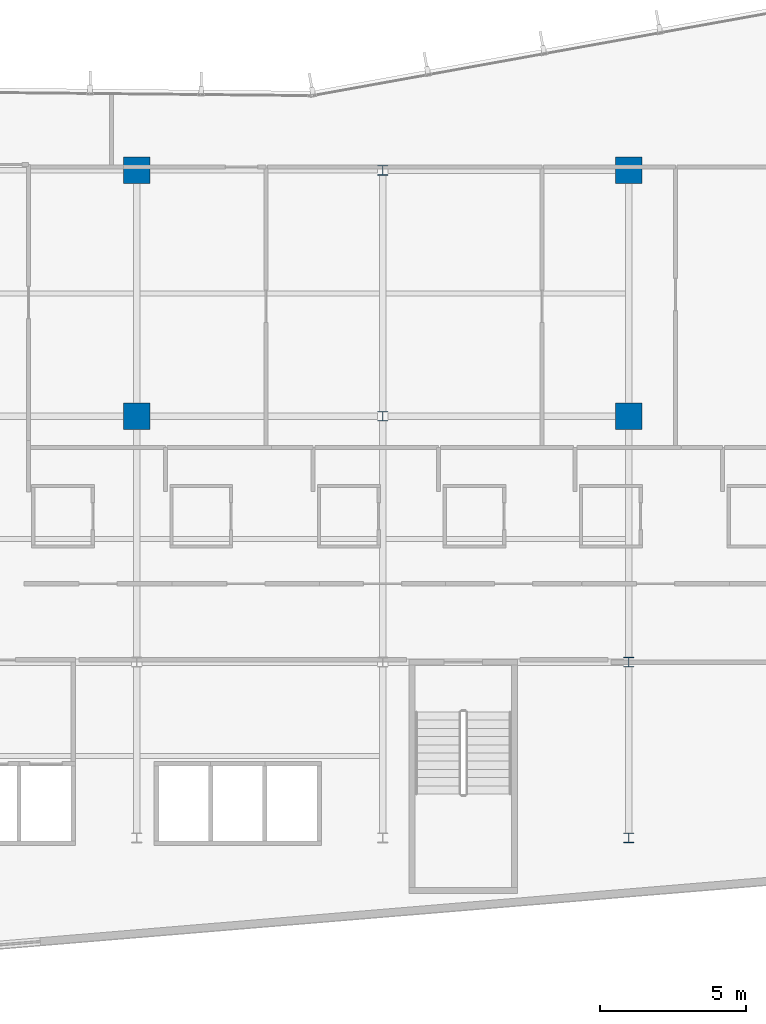
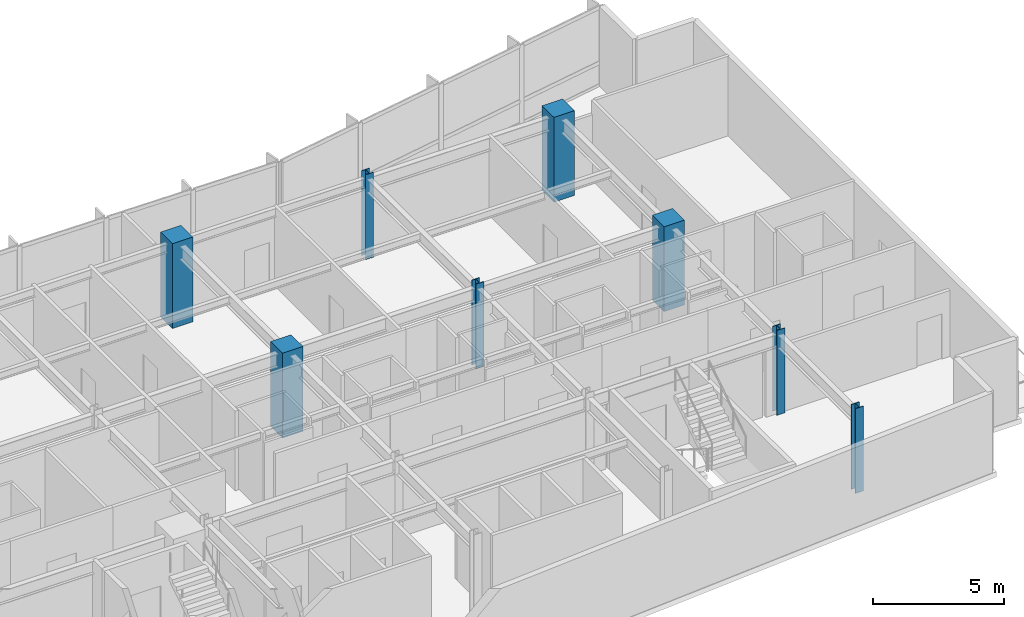
# One storey, part 2 of 19: 8 columns.
"""IFC4 building model written with IfcOpenShell, lengths in metres."""

from ifc_helpers import new_model, si_unit, direction, frame, origin, origin_2d, place, context, subcontext, project, spatial, rectangle, i_section, extrude, material, material_profile, profile_set, type_object, element, save


model = new_model("IFC4")

# Units and contexts
model_context = context("Model", 3, precision=1e-05, world=origin(), true_north=direction((0.0, 1.0)))
body_context = subcontext(model_context, "Body", "Model", "MODEL_VIEW")
ifc_project = project(units=[si_unit("LENGTHUNIT", "METRE"), si_unit("AREAUNIT", "SQUARE_METRE"), si_unit("VOLUMEUNIT", "CUBIC_METRE"), si_unit("PLANEANGLEUNIT", "RADIAN"), si_unit("MASSUNIT", "GRAM", prefix="KILO")], contexts=[model_context])

# Site, building, storey
site_placement = place(None, origin())
site = spatial("IfcSite", under=ifc_project, at=site_placement, CompositionType="ELEMENT")
building_placement = place(site_placement, origin())
building = spatial("IfcBuilding", under=site, at=building_placement, Name="Varnakote Quay Hospital", CompositionType="ELEMENT")
storey_placement = place(building_placement, frame((0.0, 0.0, 50.14990234375)))
storey = spatial("IfcBuildingStorey", under=building, at=storey_placement, Name="L12", CompositionType="ELEMENT", Elevation=50.14990234375)

# Columns
ifc_material_1 = material(Name="Concrete N50 (f'c 50 MPa)", Category="concrete")
ifc_material_profile_1 = material_profile(ifc_material_1, rectangle(XDim=0.89990234375, YDim=0.89990234375, at=origin_2d()), Name="RC-COL-900x900")
ifc_profile_set_1 = profile_set([ifc_material_profile_1], Name="Concrete N50 (f'c 50 MPa)")
column_type_1 = type_object("IfcColumnType", Name="COL-RC-900", PredefinedType="COLUMN", material=ifc_profile_set_1)
for number, where, z_axis, x_axis, name in (
    (1, (33.60009765625, 20.39990234375, 0.0), (0.0, 0.0, 1.0), (1.0, 0.0, 0.0), "L12 Structural Column C-34-20"),
    (2, (50.39990234375, 20.39990234375, 0.0), (0.0, 0.0, 1.0), (1.0, 0.0, 0.0), "L12 Structural Column C-50-20"),
    (3, (33.60009765625, 28.800048828125, 0.0), (0.0, 0.0, 1.0), (1.0, 0.0, 0.0), "L12 Structural Column C-34-29"),
    (4, (50.39990234375, 28.800048828125, 0.0), (0.0, 0.0, 1.0), (1.0, 0.0, 0.0), "L12 Structural Column C-50-29"),
):
    element("IfcColumn", number, at=place(storey_placement, frame(where, z_axis=z_axis, x_axis=x_axis)), inside=storey, type_object=column_type_1, Name=name, PredefinedType="COLUMN", context=body_context, shape_type="SweptSolid", body=[
        extrude(rectangle(XDim=0.89990234375, YDim=0.89990234375, at=origin_2d()), origin(), (0.0, 0.0, 1.0), 3.9501953125),
    ])
ifc_material_2 = material(Name="Structural steel AS/NZS 3678 Grade 350 (fy 340 MPa)", Category="steel")
ifc_material_profile_2 = material_profile(ifc_material_2, i_section(OverallWidth=0.35009765625, OverallDepth=0.340087890625, WebThickness=0.01611328125, FlangeThickness=0.028076171875, at=origin_2d()), Name="350WC197")
ifc_profile_set_2 = profile_set([ifc_material_profile_2], Name="Structural steel AS/NZS 3678 Grade 350 (fy 340 MPa)")
column_type_2 = type_object("IfcColumnType", Name="COL-STL-350WC197", PredefinedType="COLUMN", material=ifc_profile_set_2)
for number, where, z_axis, x_axis, name in (
    (5, (50.39990234375, 6.0, 0.0), (0.0, 0.0, 1.0), (1.0, 0.0, 0.0), "L12 Structural Column C-50-6"),
    (6, (50.39990234375, 12.0, 0.0), (0.0, 0.0, 1.0), (1.0, 0.0, 0.0), "L12 Structural Column C-50-12"),
    (7, (42.0, 20.39990234375, 0.0), (0.0, 0.0, 1.0), (1.0, 0.0, 0.0), "L12 Structural Column C-42-20"),
    (8, (42.0, 28.800048828125, 0.0), (0.0, 0.0, 1.0), (1.0, 0.0, 0.0), "L12 Structural Column C-42-29"),
):
    element("IfcColumn", number, at=place(storey_placement, frame(where, z_axis=z_axis, x_axis=x_axis)), inside=storey, type_object=column_type_2, Name=name, PredefinedType="COLUMN", context=body_context, shape_type="SweptSolid", body=[
        extrude(i_section(OverallWidth=0.35009765625, OverallDepth=0.340087890625, WebThickness=0.01611328125, FlangeThickness=0.028076171875, at=origin_2d()), origin(), (0.0, 0.0, 1.0), 3.9501953125),
    ])

save(model, "model.ifc")
